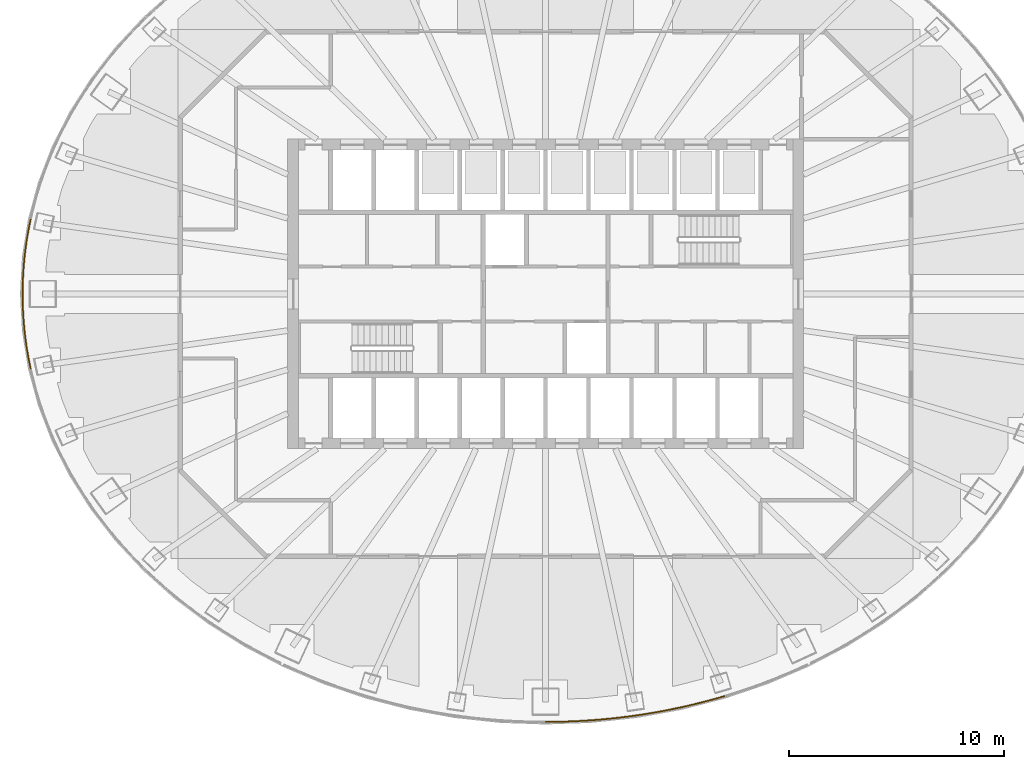
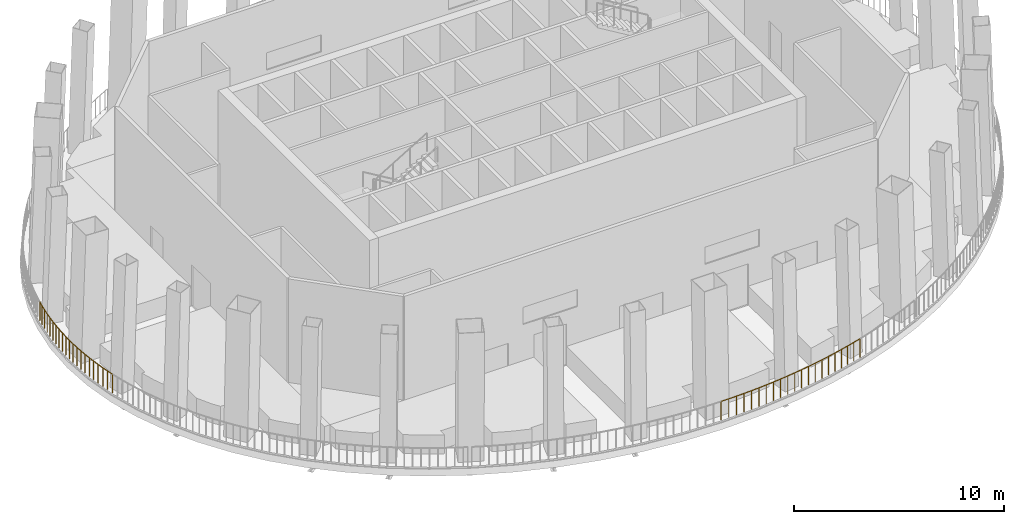
# One storey, part 9 of 15: 4 railings.
"""IFC4 building model written with IfcOpenShell, lengths in metres."""

import ifcopenshell
import ifcopenshell.guid

model = None  # the IFC model being written
_history = None  # IfcOwnerHistory: only IFC2X3 demands one
_inside = {}  # id of a spatial element -> (the spatial element, [elements in it])
_under = {}  # id of a project, library or spatial element -> (it, [spatial elements below it])
_declared = {}  # id of a project -> (the project, [libraries it declares])
_typed = {}  # id of a type object -> (the type object, [elements of that type])
_made_of = {}  # id of a material, layer set ... -> (it, [elements and type objects made of it])


def new_model(schema):
    """Start an empty IFC model of exactly this schema.

    Asked for "IFC4X3", IfcOpenShell would pick the latest addendum, in which some entities
    have other attributes; the version numbers below select the first issue.
    IFC2X3 requires an IfcOwnerHistory on every rooted entity: one is made here for all.
    """
    global model, _history
    if schema == "IFC4X3":
        model = ifcopenshell.file(schema_version=(4, 3, 0, 0))
    else:
        model = ifcopenshell.file(schema=schema)
    _inside.clear()
    _under.clear()
    _declared.clear()
    _typed.clear()
    _made_of.clear()
    _history = None
    if model.schema == "IFC2X3":
        org = make("IfcOrganization", Name="unknown")
        user = make(
            "IfcPersonAndOrganization",
            ThePerson=make("IfcPerson", FamilyName="unknown"),
            TheOrganization=org,
        )
        app = make(
            "IfcApplication",
            ApplicationDeveloper=org,
            Version="unknown",
            ApplicationFullName="unknown",
            ApplicationIdentifier="unknown",
        )
        _history = make(
            "IfcOwnerHistory",
            OwningUser=user,
            OwningApplication=app,
            ChangeAction="ADDED",
            CreationDate=0,
        )
    return model


def make(cls, **values):
    """One entity of the class cls with the attributes given. An attribute that is None is left unset."""
    return model.create_entity(
        cls, **{name: value for name, value in values.items() if value is not None}
    )


def rooted(cls, **values):
    """An entity with a GlobalId (a new one), such as an element, a storey or a relation."""
    return make(cls, GlobalId=ifcopenshell.guid.new(), OwnerHistory=_history, **values)


def si_unit(unit_type, name, prefix=None):
    """IfcSIUnit, for example si_unit("LENGTHUNIT", "METRE", prefix="MILLI")."""
    return make("IfcSIUnit", UnitType=unit_type, Prefix=prefix, Name=name)


def assignment(units):
    """IfcUnitAssignment: the units of a project."""
    return None if units is None else make("IfcUnitAssignment", Units=units)


def point(xyz):
    """IfcCartesianPoint."""
    return None if xyz is None else make("IfcCartesianPoint", Coordinates=xyz)


def direction(xyz):
    """IfcDirection."""
    return None if xyz is None else make("IfcDirection", DirectionRatios=xyz)


def frame(location, z_axis=None, x_axis=None):
    """IfcAxis2Placement3D, a coordinate frame: its origin and axes. An axis left out is left unset."""
    return make(
        "IfcAxis2Placement3D",
        Location=point(location),
        Axis=direction(z_axis),
        RefDirection=direction(x_axis),
    )


def frame_2d(location, x_axis=None):
    """IfcAxis2Placement2D, a coordinate frame in the plane: its origin and x axis."""
    return make(
        "IfcAxis2Placement2D", Location=point(location), RefDirection=direction(x_axis)
    )


def origin():
    """The frame at (0, 0, 0) with its axes left unset."""
    return frame((0.0, 0.0, 0.0))


def origin_2d():
    """The frame at (0, 0) in the plane with its x axis left unset."""
    return frame_2d((0.0, 0.0))


def place(relative_to, where):
    """IfcLocalPlacement: puts the frame where relative to a parent placement (None: the world)."""
    return make(
        "IfcLocalPlacement", PlacementRelTo=relative_to, RelativePlacement=where
    )


def context(
    kind, dimensions, precision=None, world=None, true_north=None, identifier=None
):
    """IfcGeometricRepresentationContext, for example the 3D "Model" context."""
    return make(
        "IfcGeometricRepresentationContext",
        ContextIdentifier=identifier,
        ContextType=kind,
        CoordinateSpaceDimension=dimensions,
        Precision=precision,
        WorldCoordinateSystem=world,
        TrueNorth=true_north,
    )


def subcontext(parent, identifier, kind, view, scale=None):
    """IfcGeometricRepresentationSubContext, for example "Body" below "Model"."""
    return make(
        "IfcGeometricRepresentationSubContext",
        ContextIdentifier=identifier,
        ContextType=kind,
        ParentContext=parent,
        TargetScale=scale,
        TargetView=view,
    )


def project(units=None, contexts=None):
    """IfcProject with its units and contexts."""
    return rooted(
        "IfcProject",
        Name="project",
        RepresentationContexts=contexts,
        UnitsInContext=assignment(units),
    )


def spatial(cls, under=None, at=None, **own):
    """A site, building, storey or space (cls), placed at a placement, below another one or the project."""
    s = rooted(cls, ObjectPlacement=at, **own)
    if under is not None:
        _under.setdefault(under.id(), (under, []))[1].append(s)
    return s


def profile(cls, at=None, kind="AREA", **sizes):
    """A parametric profile (cls). Its sizes go by their IFC names, for example OverallWidth=200.0."""
    return make(cls, ProfileType=kind, Position=at, **sizes)


def circle(**sizes):
    """IfcCircleProfileDef."""
    return profile("IfcCircleProfileDef", **sizes)


def extrude(swept, where, along, depth):
    """IfcExtrudedAreaSolid: the profile swept, set in the frame where, extruded along a direction by depth."""
    return make(
        "IfcExtrudedAreaSolid",
        SweptArea=swept,
        Position=where,
        ExtrudedDirection=direction(along),
        Depth=depth,
    )


def shape(context_of_items, identifier, shape_type, items):
    """IfcShapeRepresentation: the items that make up one representation, for example the "Body"."""
    return make(
        "IfcShapeRepresentation",
        ContextOfItems=context_of_items,
        RepresentationIdentifier=identifier,
        RepresentationType=shape_type,
        Items=items,
    )


def material(Name=None, Category=None):
    """IfcMaterial."""
    return make("IfcMaterial", Name=Name, Category=Category)


def made_of(thing, what):
    """Note that an element or type object is made of a material, layer set ...; save() writes the relation."""
    if what is not None:
        _made_of.setdefault(what.id(), (what, []))[1].append(thing)
    return thing


def type_object(cls, material=None, **own):
    """A type object (cls), such as IfcWallType, which elements share."""
    return made_of(rooted(cls, **own), material)


def element(
    cls,
    number,
    at=None,
    inside=None,
    cuts=None,
    type_object=None,
    material=None,
    context=None,
    identifier="Body",
    shape_type=None,
    held_by="IfcProductDefinitionShape",
    body=None,
    shapes=None,
    **own,
):
    """One element of the class cls, such as IfcWall. Its Tag is "e" and its number.

    at: its placement. inside: the storey or other place that contains it. cuts: it is an
    opening in that element (IfcRelVoidsElement). A single representation is given by context,
    identifier, shape_type and body (its items); several are given by shapes. held_by: the class
    of the entity that holds the representations. save() writes the other relations.
    """
    e = rooted(cls, Tag="e%d" % number, ObjectPlacement=at, **own)
    if body is not None:
        shapes = [shape(context, identifier, shape_type, body)]
    if shapes is not None:
        e.Representation = make(held_by, Representations=shapes)
    if inside is not None:
        _inside.setdefault(inside.id(), (inside, []))[1].append(e)
    if cuts is not None:
        rooted(
            "IfcRelVoidsElement", RelatingBuildingElement=cuts, RelatedOpeningElement=e
        )
    if type_object is not None:
        _typed.setdefault(type_object.id(), (type_object, []))[1].append(e)
    return made_of(e, material)


def aggregate(whole, parts):
    """IfcRelAggregates: a whole, such as a stair, and the parts it consists of."""
    return rooted("IfcRelAggregates", RelatingObject=whole, RelatedObjects=parts)


def save(model, path):
    """Write the relations noted so far, then the file.

    IfcRelAggregates (storeys below a building ...), IfcRelContainedInSpatialStructure (elements
    in a storey), IfcRelDefinesByType, IfcRelAssociatesMaterial and IfcRelDeclares: one each for
    every whole, place, type object, material and project.
    """
    for whole, parts in _under.values():
        aggregate(whole, parts)
    for where, things in _inside.values():
        rooted(
            "IfcRelContainedInSpatialStructure",
            RelatedElements=things,
            RelatingStructure=where,
        )
    for kind, things in _typed.values():
        rooted("IfcRelDefinesByType", RelatedObjects=things, RelatingType=kind)
    for what, things in _made_of.values():
        rooted("IfcRelAssociatesMaterial", RelatedObjects=things, RelatingMaterial=what)
    for by, libraries in _declared.values():
        rooted("IfcRelDeclares", RelatingContext=by, RelatedDefinitions=libraries)
    model.write(path)


model = new_model("IFC4")

# Units and contexts
model_context = context("Model", 3, precision=1e-05, world=origin(), true_north=direction((0.0, 1.0)))
body_context = subcontext(model_context, "Body", "Model", "MODEL_VIEW")
ifc_project = project(units=[si_unit("LENGTHUNIT", "METRE"), si_unit("AREAUNIT", "SQUARE_METRE"), si_unit("VOLUMEUNIT", "CUBIC_METRE"), si_unit("PLANEANGLEUNIT", "RADIAN"), si_unit("MASSUNIT", "GRAM", prefix="KILO")], contexts=[model_context])

# Site, building, storey
site_placement = place(None, origin())
site = spatial("IfcSite", under=ifc_project, at=site_placement, CompositionType="ELEMENT")
building_placement = place(site_placement, origin())
building = spatial("IfcBuilding", under=site, at=building_placement, Name="Siaravel Broadcast Tower", CompositionType="ELEMENT")
storey_placement = place(building_placement, frame((0.0, 0.0, 145.199951171875)))
storey = spatial("IfcBuildingStorey", under=building, at=storey_placement, Name="L35", CompositionType="ELEMENT", Elevation=145.199951171875)

# Railings
ifc_material = material(Name="Steel S355", Category="steel")
railing_type = type_object("IfcRailingType", Name="Guard 1100", PredefinedType="GUARDRAIL", material=ifc_material)
railing_1_placement = place(storey_placement, frame((-23.963134765625, 3.457275390625, 0.080078125)))
element("IfcRailing", 1, at=railing_1_placement, inside=storey, type_object=railing_type, Name="L35 sky garden guard 18", PredefinedType="GUARDRAIL", context=body_context, shape_type="SweptSolid", body=[
    extrude(circle(Radius=0.02392578125, at=origin_2d()), frame((0.0, 0.0, 1.076171875), z_axis=(-0.200274453, -0.979739835, 0.0), x_axis=(0.979739835, -0.200274453, 0.0)), (0.0, 0.0, 1.0), 0.349853515625),
    extrude(circle(Radius=0.02392578125, at=origin_2d()), frame((-0.070068359375, -0.3427734375, 1.076171875), z_axis=(-0.179685223, -0.983724159, 0.0), x_axis=(0.983724159, -0.179685223, 0.0)), (0.0, 0.0, 1.0), 0.34912109375),
    extrude(circle(Radius=0.02392578125, at=origin_2d()), frame((-0.1328125, -0.686279296875, 1.076171875), z_axis=(-0.158836438, -0.98730491, 0.0), x_axis=(0.98730491, -0.158836438, 0.0)), (0.0, 0.0, 1.0), 0.348876953125),
    extrude(circle(Radius=0.02392578125, at=origin_2d()), frame((-0.188232421875, -1.03076171875, 1.076171875), z_axis=(-0.137892646, -0.990447181, 0.0), x_axis=(0.990447181, -0.137892646, 0.0)), (0.0, 0.0, 1.0), 0.348876953125),
    extrude(circle(Radius=0.02392578125, at=origin_2d()), frame((-0.236328125, -1.376220703125, 1.076171875), z_axis=(-0.117044568, -0.993126663, 0.0), x_axis=(0.993126663, -0.117044568, 0.0)), (0.0, 0.0, 1.0), 0.348388671875),
    extrude(circle(Radius=0.02392578125, at=origin_2d()), frame((-0.277099609375, -1.72216796875, 1.076171875), z_axis=(-0.095471631, -0.995432151, 0.0), x_axis=(0.995432151, -0.095471631, 0.0)), (0.0, 0.0, 1.0), 0.347900390625),
    extrude(circle(Radius=0.02392578125, at=origin_2d()), frame((-0.310302734375, -2.068359375, 1.076171875), z_axis=(-0.075086518, -0.997177023, 0.0), x_axis=(0.997177023, -0.075086518, 0.0)), (0.0, 0.0, 1.0), 0.347900390625),
    extrude(circle(Radius=0.02392578125, at=origin_2d()), frame((-0.33642578125, -2.415283203125, 1.076171875), z_axis=(-0.053369681, -0.998574823, 0.0), x_axis=(0.998574823, -0.053369681, 0.0)), (0.0, 0.0, 1.0), 0.34765625),
    extrude(circle(Radius=0.02392578125, at=origin_2d()), frame((-0.35498046875, -2.762451171875, 1.076171875), z_axis=(-0.031607531, -0.999500357, 0.0), x_axis=(0.999500357, -0.031607531, 0.0)), (0.0, 0.0, 1.0), 0.34765625),
    extrude(circle(Radius=0.02392578125, at=origin_2d()), frame((-0.365966796875, -3.10986328125, 1.076171875), z_axis=(-0.010540525, -0.999944447, 0.0), x_axis=(0.999944447, -0.010540525, 0.0)), (0.0, 0.0, 1.0), 0.347412109375),
    extrude(circle(Radius=0.02099609375, at=origin_2d()), origin(), (0.0, 0.0, 1.0), 1.052001953125),
    extrude(circle(Radius=0.02099609375, at=origin_2d()), frame((-0.070068359375, -0.3427734375, 0.0)), (0.0, 0.0, 1.0), 1.052001953125),
    extrude(circle(Radius=0.02099609375, at=origin_2d()), frame((-0.1328125, -0.686279296875, 0.0)), (0.0, 0.0, 1.0), 1.052001953125),
    extrude(circle(Radius=0.02099609375, at=origin_2d()), frame((-0.188232421875, -1.03076171875, 0.0)), (0.0, 0.0, 1.0), 1.052001953125),
    extrude(circle(Radius=0.02099609375, at=origin_2d()), frame((-0.236328125, -1.376220703125, 0.0)), (0.0, 0.0, 1.0), 1.052001953125),
    extrude(circle(Radius=0.02099609375, at=origin_2d()), frame((-0.277099609375, -1.72216796875, 0.0)), (0.0, 0.0, 1.0), 1.052001953125),
    extrude(circle(Radius=0.02099609375, at=origin_2d()), frame((-0.310302734375, -2.068359375, 0.0)), (0.0, 0.0, 1.0), 1.052001953125),
    extrude(circle(Radius=0.02099609375, at=origin_2d()), frame((-0.33642578125, -2.415283203125, 0.0)), (0.0, 0.0, 1.0), 1.052001953125),
    extrude(circle(Radius=0.02099609375, at=origin_2d()), frame((-0.35498046875, -2.762451171875, 0.0)), (0.0, 0.0, 1.0), 1.052001953125),
    extrude(circle(Radius=0.02099609375, at=origin_2d()), frame((-0.365966796875, -3.10986328125, 0.0)), (0.0, 0.0, 1.0), 1.052001953125),
    extrude(circle(Radius=0.02099609375, at=origin_2d()), frame((-0.36962890625, -3.457275390625, 0.0)), (0.0, 0.0, 1.0), 1.052001953125),
])
railing_2_placement = place(storey_placement, frame((-24.332763671875, 0.0, 0.080078125)))
element("IfcRailing", 2, at=railing_2_placement, inside=storey, type_object=railing_type, Name="L35 sky garden guard 19", PredefinedType="GUARDRAIL", context=body_context, shape_type="SweptSolid", body=[
    extrude(circle(Radius=0.02392578125, at=origin_2d()), frame((0.0, 0.0, 1.076171875), z_axis=(0.010540525, -0.999944447, 0.0), x_axis=(0.999944447, 0.010540525, 0.0)), (0.0, 0.0, 1.0), 0.347412109375),
    extrude(circle(Radius=0.02392578125, at=origin_2d()), frame((0.003662109375, -0.347412109375, 1.076171875), z_axis=(0.031607531, -0.999500357, 0.0), x_axis=(0.999500357, 0.031607531, 0.0)), (0.0, 0.0, 1.0), 0.34765625),
    extrude(circle(Radius=0.02392578125, at=origin_2d()), frame((0.0146484375, -0.69482421875, 1.076171875), z_axis=(0.053369681, -0.998574823, 0.0), x_axis=(0.998574823, 0.053369681, 0.0)), (0.0, 0.0, 1.0), 0.34765625),
    extrude(circle(Radius=0.02392578125, at=origin_2d()), frame((0.033203125, -1.0419921875, 1.076171875), z_axis=(0.075086518, -0.997177023, 0.0), x_axis=(0.997177023, 0.075086518, 0.0)), (0.0, 0.0, 1.0), 0.347900390625),
    extrude(circle(Radius=0.02392578125, at=origin_2d()), frame((0.059326171875, -1.388916015625, 1.076171875), z_axis=(0.095471631, -0.995432151, 0.0), x_axis=(0.995432151, 0.095471631, 0.0)), (0.0, 0.0, 1.0), 0.347900390625),
    extrude(circle(Radius=0.02392578125, at=origin_2d()), frame((0.092529296875, -1.735107421875, 1.076171875), z_axis=(0.117044568, -0.993126663, 0.0), x_axis=(0.993126663, 0.117044568, 0.0)), (0.0, 0.0, 1.0), 0.348388671875),
    extrude(circle(Radius=0.02392578125, at=origin_2d()), frame((0.13330078125, -2.0810546875, 1.076171875), z_axis=(0.137892646, -0.990447181, 0.0), x_axis=(0.990447181, 0.137892646, 0.0)), (0.0, 0.0, 1.0), 0.348876953125),
    extrude(circle(Radius=0.02392578125, at=origin_2d()), frame((0.181396484375, -2.426513671875, 1.076171875), z_axis=(0.158836438, -0.98730491, 0.0), x_axis=(0.98730491, 0.158836438, 0.0)), (0.0, 0.0, 1.0), 0.348876953125),
    extrude(circle(Radius=0.02392578125, at=origin_2d()), frame((0.23681640625, -2.77099609375, 1.076171875), z_axis=(0.179685223, -0.983724159, 0.0), x_axis=(0.983724159, 0.179685223, 0.0)), (0.0, 0.0, 1.0), 0.34912109375),
    extrude(circle(Radius=0.02392578125, at=origin_2d()), frame((0.299560546875, -3.114501953125, 1.076171875), z_axis=(0.200274453, -0.979739835, 0.0), x_axis=(0.979739835, 0.200274453, 0.0)), (0.0, 0.0, 1.0), 0.349853515625),
    extrude(circle(Radius=0.02099609375, at=origin_2d()), origin(), (0.0, 0.0, 1.0), 1.052001953125),
    extrude(circle(Radius=0.02099609375, at=origin_2d()), frame((0.003662109375, -0.347412109375, 0.0)), (0.0, 0.0, 1.0), 1.052001953125),
    extrude(circle(Radius=0.02099609375, at=origin_2d()), frame((0.0146484375, -0.69482421875, 0.0)), (0.0, 0.0, 1.0), 1.052001953125),
    extrude(circle(Radius=0.02099609375, at=origin_2d()), frame((0.033203125, -1.0419921875, 0.0)), (0.0, 0.0, 1.0), 1.052001953125),
    extrude(circle(Radius=0.02099609375, at=origin_2d()), frame((0.059326171875, -1.388916015625, 0.0)), (0.0, 0.0, 1.0), 1.052001953125),
    extrude(circle(Radius=0.02099609375, at=origin_2d()), frame((0.092529296875, -1.735107421875, 0.0)), (0.0, 0.0, 1.0), 1.052001953125),
    extrude(circle(Radius=0.02099609375, at=origin_2d()), frame((0.13330078125, -2.0810546875, 0.0)), (0.0, 0.0, 1.0), 1.052001953125),
    extrude(circle(Radius=0.02099609375, at=origin_2d()), frame((0.181396484375, -2.426513671875, 0.0)), (0.0, 0.0, 1.0), 1.052001953125),
    extrude(circle(Radius=0.02099609375, at=origin_2d()), frame((0.23681640625, -2.77099609375, 0.0)), (0.0, 0.0, 1.0), 1.052001953125),
    extrude(circle(Radius=0.02099609375, at=origin_2d()), frame((0.299560546875, -3.114501953125, 0.0)), (0.0, 0.0, 1.0), 1.052001953125),
    extrude(circle(Radius=0.02099609375, at=origin_2d()), frame((0.36962890625, -3.457275390625, 0.0)), (0.0, 0.0, 1.0), 1.052001953125),
])
railing_3_placement = place(storey_placement, frame((0.0, -19.90966796875, 0.080078125)))
element("IfcRailing", 3, at=railing_3_placement, inside=storey, type_object=railing_type, Name="L35 sky garden guard 28", PredefinedType="GUARDRAIL", context=body_context, shape_type="SweptSolid", body=[
    extrude(circle(Radius=0.02392578125, at=origin_2d()), frame((0.0, 0.0, 1.076171875), z_axis=(0.999972091, 0.007471056, 0.0), x_axis=(-0.007471056, 0.999972091, 0.0)), (0.0, 0.0, 1.0), 0.4248046875),
    extrude(circle(Radius=0.02392578125, at=origin_2d()), frame((0.4248046875, 0.003173828125, 1.076171875), z_axis=(0.99977347, 0.021284015, 0.0), x_axis=(-0.021284015, 0.99977347, 0.0)), (0.0, 0.0, 1.0), 0.42431640625),
    extrude(circle(Radius=0.02392578125, at=origin_2d()), frame((0.84912109375, 0.01220703125, 1.076171875), z_axis=(0.999364318, 0.035650511, 0.0), x_axis=(-0.035650511, 0.999364318, 0.0)), (0.0, 0.0, 1.0), 0.424560546875),
    extrude(circle(Radius=0.02392578125, at=origin_2d()), frame((1.2734375, 0.02734375, 1.076171875), z_axis=(0.998748034, 0.050023649, 0.0), x_axis=(-0.050023649, 0.998748034, 0.0)), (0.0, 0.0, 1.0), 0.424560546875),
    extrude(circle(Radius=0.02392578125, at=origin_2d()), frame((1.697509765625, 0.048583984375, 1.076171875), z_axis=(0.997918142, 0.064493267, 0.0), x_axis=(-0.064493267, 0.997918142, 0.0)), (0.0, 0.0, 1.0), 0.424072265625),
    extrude(circle(Radius=0.02392578125, at=origin_2d()), frame((2.12060546875, 0.075927734375, 1.076171875), z_axis=(0.996931336, 0.078280982, 0.0), x_axis=(-0.078280982, 0.996931336, 0.0)), (0.0, 0.0, 1.0), 0.424072265625),
    extrude(circle(Radius=0.02392578125, at=origin_2d()), frame((2.54345703125, 0.109130859375, 1.076171875), z_axis=(0.995687611, 0.092769505, 0.0), x_axis=(-0.092769505, 0.995687611, 0.0)), (0.0, 0.0, 1.0), 0.423583984375),
    extrude(circle(Radius=0.02392578125, at=origin_2d()), frame((2.96533203125, 0.1484375, 1.076171875), z_axis=(0.994236972, 0.107204682, 0.0), x_axis=(-0.107204682, 0.994236972, 0.0)), (0.0, 0.0, 1.0), 0.423583984375),
    extrude(circle(Radius=0.02392578125, at=origin_2d()), frame((3.386474609375, 0.19384765625, 1.076171875), z_axis=(0.992628954, 0.12119307, 0.0), x_axis=(-0.12119307, 0.992628954, 0.0)), (0.0, 0.0, 1.0), 0.423095703125),
    extrude(circle(Radius=0.02392578125, at=origin_2d()), frame((3.806396484375, 0.2451171875, 1.076171875), z_axis=(0.990752712, 0.135680004, 0.0), x_axis=(-0.135680004, 0.990752712, 0.0)), (0.0, 0.0, 1.0), 0.4228515625),
    extrude(circle(Radius=0.02099609375, at=origin_2d()), origin(), (0.0, 0.0, 1.0), 1.052001953125),
    extrude(circle(Radius=0.02099609375, at=origin_2d()), frame((0.4248046875, 0.003173828125, 0.0)), (0.0, 0.0, 1.0), 1.052001953125),
    extrude(circle(Radius=0.02099609375, at=origin_2d()), frame((0.84912109375, 0.01220703125, 0.0)), (0.0, 0.0, 1.0), 1.052001953125),
    extrude(circle(Radius=0.02099609375, at=origin_2d()), frame((1.2734375, 0.02734375, 0.0)), (0.0, 0.0, 1.0), 1.052001953125),
    extrude(circle(Radius=0.02099609375, at=origin_2d()), frame((1.697509765625, 0.048583984375, 0.0)), (0.0, 0.0, 1.0), 1.052001953125),
    extrude(circle(Radius=0.02099609375, at=origin_2d()), frame((2.12060546875, 0.075927734375, 0.0)), (0.0, 0.0, 1.0), 1.052001953125),
    extrude(circle(Radius=0.02099609375, at=origin_2d()), frame((2.54345703125, 0.109130859375, 0.0)), (0.0, 0.0, 1.0), 1.052001953125),
    extrude(circle(Radius=0.02099609375, at=origin_2d()), frame((2.96533203125, 0.1484375, 0.0)), (0.0, 0.0, 1.0), 1.052001953125),
    extrude(circle(Radius=0.02099609375, at=origin_2d()), frame((3.386474609375, 0.19384765625, 0.0)), (0.0, 0.0, 1.0), 1.052001953125),
    extrude(circle(Radius=0.02099609375, at=origin_2d()), frame((3.806396484375, 0.2451171875, 0.0)), (0.0, 0.0, 1.0), 1.052001953125),
    extrude(circle(Radius=0.02099609375, at=origin_2d()), frame((4.225341796875, 0.302490234375, 0.0)), (0.0, 0.0, 1.0), 1.052001953125),
])
railing_4_placement = place(storey_placement, frame((4.225341796875, -19.607177734375, 0.080078125)))
element("IfcRailing", 4, at=railing_4_placement, inside=storey, type_object=railing_type, Name="L35 sky garden guard 29", PredefinedType="GUARDRAIL", context=body_context, shape_type="SweptSolid", body=[
    extrude(circle(Radius=0.02392578125, at=origin_2d()), frame((0.0, 0.0, 1.076171875), z_axis=(0.988637523, 0.150319156, 0.0), x_axis=(-0.150319156, 0.988637523, 0.0)), (0.0, 0.0, 1.0), 0.42236328125),
    extrude(circle(Radius=0.02392578125, at=origin_2d()), frame((0.41748046875, 0.0634765625, 1.076171875), z_axis=(0.986503169, 0.163742168, 0.0), x_axis=(-0.163742168, 0.986503169, 0.0)), (0.0, 0.0, 1.0), 0.421875),
    extrude(circle(Radius=0.02392578125, at=origin_2d()), frame((0.833740234375, 0.132568359375, 1.076171875), z_axis=(0.983943998, 0.178477474, 0.0), x_axis=(-0.178477474, 0.983943998, 0.0)), (0.0, 0.0, 1.0), 0.42138671875),
    extrude(circle(Radius=0.02392578125, at=origin_2d()), frame((1.248291015625, 0.207763671875, 1.076171875), z_axis=(0.981178249, 0.19310423, 0.0), x_axis=(-0.19310423, 0.981178249, 0.0)), (0.0, 0.0, 1.0), 0.4208984375),
    extrude(circle(Radius=0.02392578125, at=origin_2d()), frame((1.661376953125, 0.2890625, 1.076171875), z_axis=(0.978376842, 0.206830259, 0.0), x_axis=(-0.206830259, 0.978376842, 0.0)), (0.0, 0.0, 1.0), 0.420166015625),
    extrude(circle(Radius=0.02392578125, at=origin_2d()), frame((2.072509765625, 0.3759765625, 1.076171875), z_axis=(0.975121424, 0.221671398, 0.0), x_axis=(-0.221671398, 0.975121424, 0.0)), (0.0, 0.0, 1.0), 0.419677734375),
    extrude(circle(Radius=0.02392578125, at=origin_2d()), frame((2.481689453125, 0.468994140625, 1.076171875), z_axis=(0.971898599, 0.2353999, 0.0), x_axis=(-0.2353999, 0.971898599, 0.0)), (0.0, 0.0, 1.0), 0.4189453125),
    extrude(circle(Radius=0.02392578125, at=origin_2d()), frame((2.888916015625, 0.567626953125, 1.076171875), z_axis=(0.968436589, 0.24926005, 0.0), x_axis=(-0.24926005, 0.968436589, 0.0)), (0.0, 0.0, 1.0), 0.418212890625),
    extrude(circle(Radius=0.02392578125, at=origin_2d()), frame((3.2939453125, 0.671875, 1.076171875), z_axis=(0.964466449, 0.264205354, 0.0), x_axis=(-0.264205354, 0.964466449, 0.0)), (0.0, 0.0, 1.0), 0.417724609375),
    extrude(circle(Radius=0.02392578125, at=origin_2d()), frame((3.69677734375, 0.7822265625, 1.076171875), z_axis=(0.96047772, 0.278356874, 0.0), x_axis=(-0.278356874, 0.96047772, 0.0)), (0.0, 0.0, 1.0), 0.41650390625),
    extrude(circle(Radius=0.02099609375, at=origin_2d()), origin(), (0.0, 0.0, 1.0), 1.052001953125),
    extrude(circle(Radius=0.02099609375, at=origin_2d()), frame((0.41748046875, 0.0634765625, 0.0)), (0.0, 0.0, 1.0), 1.052001953125),
    extrude(circle(Radius=0.02099609375, at=origin_2d()), frame((0.833740234375, 0.132568359375, 0.0)), (0.0, 0.0, 1.0), 1.052001953125),
    extrude(circle(Radius=0.02099609375, at=origin_2d()), frame((1.248291015625, 0.207763671875, 0.0)), (0.0, 0.0, 1.0), 1.052001953125),
    extrude(circle(Radius=0.02099609375, at=origin_2d()), frame((1.661376953125, 0.2890625, 0.0)), (0.0, 0.0, 1.0), 1.052001953125),
    extrude(circle(Radius=0.02099609375, at=origin_2d()), frame((2.072509765625, 0.3759765625, 0.0)), (0.0, 0.0, 1.0), 1.052001953125),
    extrude(circle(Radius=0.02099609375, at=origin_2d()), frame((2.481689453125, 0.468994140625, 0.0)), (0.0, 0.0, 1.0), 1.052001953125),
    extrude(circle(Radius=0.02099609375, at=origin_2d()), frame((2.888916015625, 0.567626953125, 0.0)), (0.0, 0.0, 1.0), 1.052001953125),
    extrude(circle(Radius=0.02099609375, at=origin_2d()), frame((3.2939453125, 0.671875, 0.0)), (0.0, 0.0, 1.0), 1.052001953125),
    extrude(circle(Radius=0.02099609375, at=origin_2d()), frame((3.69677734375, 0.7822265625, 0.0)), (0.0, 0.0, 1.0), 1.052001953125),
    extrude(circle(Radius=0.02099609375, at=origin_2d()), frame((4.096923828125, 0.898193359375, 0.0)), (0.0, 0.0, 1.0), 1.052001953125),
])

save(model, "model.ifc")
